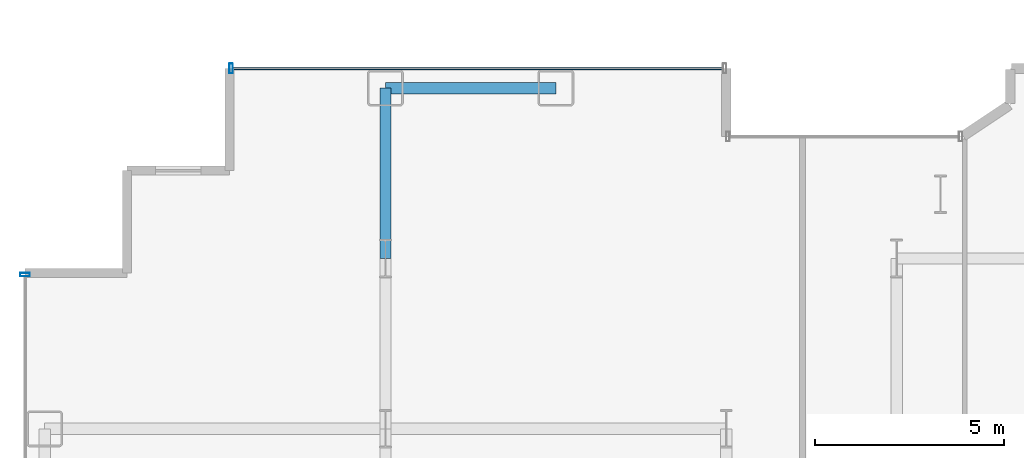
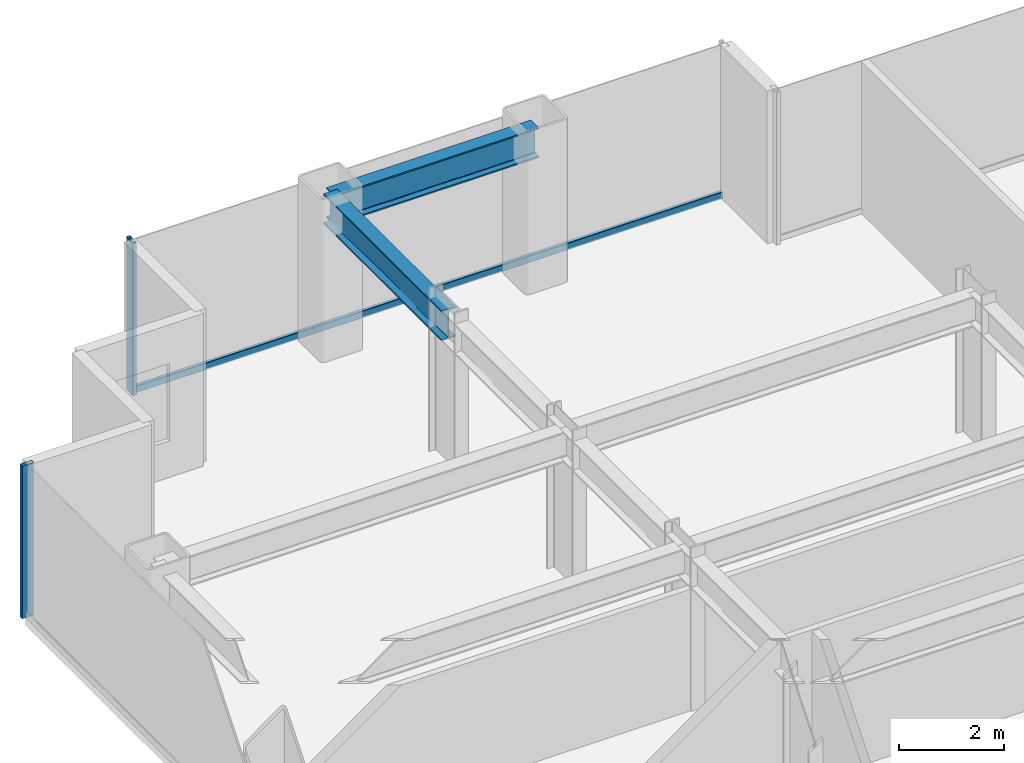
# One storey, part 9 of 25: 3 members, 2 beams, 2 elements without a shape of their own.
"""IFC4 building model written with IfcOpenShell, lengths in metres."""

from ifc_helpers import new_model, si_unit, direction, frame, origin, origin_2d, place, context, subcontext, project, spatial, hollow_rectangle, i_section, extrude, source, transform, mapped, material, layer, layer_set, material_profile, profile_set, type_object, element, aggregate, save


model = new_model("IFC4")

# Units and contexts
model_context = context("Model", 3, precision=1e-05, world=origin(), true_north=direction((0.0, 1.0)))
body_context = subcontext(model_context, "Body", "Model", "MODEL_VIEW")
ifc_project = project(units=[si_unit("LENGTHUNIT", "METRE"), si_unit("AREAUNIT", "SQUARE_METRE"), si_unit("VOLUMEUNIT", "CUBIC_METRE"), si_unit("PLANEANGLEUNIT", "RADIAN"), si_unit("MASSUNIT", "GRAM", prefix="KILO")], contexts=[model_context])

# Site, building, storey
site_placement = place(None, origin())
site = spatial("IfcSite", under=ifc_project, at=site_placement, CompositionType="ELEMENT")
building_placement = place(site_placement, origin())
building = spatial("IfcBuilding", under=site, at=building_placement, Name="Nefas-Gora Pilgrimage Tower", CompositionType="ELEMENT")
storey_placement = place(building_placement, frame((0.0, 0.0, 71.0)))
storey = spatial("IfcBuildingStorey", under=building, at=storey_placement, Name="L16", CompositionType="ELEMENT", Elevation=71.0)

# Beams
ifc_material_1 = material(Name="Steel S355", Category="steel")
ifc_material_profile_1 = material_profile(ifc_material_1, i_section(OverallWidth=0.300048828125, OverallDepth=0.699951171875, WebThickness=0.01708984375, FlangeThickness=0.031982421875, FilletRadius=0.027099609375, at=origin_2d()), Name="HEB 700")
ifc_profile_set_1 = profile_set([ifc_material_profile_1], Name="Steel S355")
beam_type_1 = type_object("IfcBeamType", Name="BM-SPN-HEB600", PredefinedType="SPANDREL", material=ifc_profile_set_1)
shared_shape_1 = source(origin(), body_context, "Body", "SweptSolid", [
    extrude(i_section(OverallWidth=0.300048828125, OverallDepth=0.699951171875, WebThickness=0.01708984375, FlangeThickness=0.031982421875, FilletRadius=0.027099609375, at=origin_2d()), origin(), (0.0, 0.0, 1.0), 4.5),
])
beam_1_placement = place(storey_placement, frame((-24.75, 22.5, 3.199951171875), z_axis=(1.0, 0.0, 0.0), x_axis=(0.0, 1.0, 0.0)))
element("IfcBeam", 1, at=beam_1_placement, inside=storey, type_object=beam_type_1, Name="L16 SP-01 beam", PredefinedType="SPANDREL", context=body_context, shape_type="MappedRepresentation", body=[
    mapped(shared_shape_1, transform((0.0, 0.0, 0.0), x_axis=(1.0, 0.0, 0.0), y_axis=(0.0, 1.0, 0.0), z_axis=(0.0, 0.0, 1.0), scale=1.0)),
])
ifc_material_profile_2 = material_profile(ifc_material_1, i_section(OverallWidth=0.300048828125, OverallDepth=0.699951171875, WebThickness=0.01708984375, FlangeThickness=0.031982421875, FilletRadius=0.027099609375, at=origin_2d()), Name="HEB 700")
ifc_profile_set_2 = profile_set([ifc_material_profile_2], Name="Steel S355")
beam_type_2 = type_object("IfcBeamType", Name="BM-GIR-HEB700", PredefinedType="BEAM", material=ifc_profile_set_2)
shared_shape_2 = source(origin(), body_context, "Body", "SweptSolid", [
    extrude(i_section(OverallWidth=0.300048828125, OverallDepth=0.699951171875, WebThickness=0.01708984375, FlangeThickness=0.031982421875, FilletRadius=0.027099609375, at=origin_2d()), origin(), (0.0, 0.0, 1.0), 4.5),
])
beam_2_placement = place(storey_placement, frame((-24.75, 18.0, 3.199951171875), z_axis=(0.0, 1.0, 0.0), x_axis=(-1.0, 0.0, 0.0)))
element("IfcBeam", 2, at=beam_2_placement, inside=storey, type_object=beam_type_2, Name="L16 G-02 beam", PredefinedType="BEAM", context=body_context, shape_type="MappedRepresentation", body=[
    mapped(shared_shape_2, transform((0.0, 0.0, 0.0), x_axis=(1.0, 0.0, 0.0), y_axis=(0.0, 1.0, 0.0), z_axis=(0.0, 0.0, 1.0), scale=1.0)),
])

# Curtain wall, member
ifc_material_2 = material(Name="Dark ceramic-fritted solar-control aluminium-glass curtain wall", Category="aluminium")
ifc_layer = layer(ifc_material_2, 0.219970703125)
ifc_layer_set = layer_set([ifc_layer], Name="Dark ceramic-fritted solar-control aluminium-glass curtain wall")
curtain_wall_type = type_object("IfcCurtainWallType", Name="CW-SYS-2", PredefinedType="NOTDEFINED", material=ifc_layer_set)
curtain_wall_1_placement = place(storey_placement, origin())
curtain_wall_1 = element("IfcCurtainWall", 3, at=curtain_wall_1_placement, inside=storey, type_object=curtain_wall_type, Name="L16 Unitised Curtain Wall CW2", PredefinedType="NOTDEFINED")
ifc_material_3 = material(Name="Anodised architectural aluminium", Category="aluminium")
ifc_material_profile_3 = material_profile(ifc_material_3, hollow_rectangle(XDim=0.090087890625, YDim=0.260009765625, WallThickness=0.006103515625, InnerFilletRadius=0.006103515625, OuterFilletRadius=0.011962890625, at=origin_2d()), Name="ALU MULLION 90x260")
ifc_profile_set_3 = profile_set([ifc_material_profile_3], Name="Anodised architectural aluminium")
member_type_1 = type_object("IfcMemberType", Name="CWM-MUL-2", PredefinedType="MULLION", material=ifc_profile_set_3)
shared_shape_3 = source(origin(), body_context, "Body", "SweptSolid", [
    extrude(hollow_rectangle(XDim=0.090087890625, YDim=0.260009765625, WallThickness=0.006103515625, InnerFilletRadius=0.006103515625, OuterFilletRadius=0.011962890625, at=origin_2d()), origin(), (0.0, 0.0, 1.0), 3.550048828125),
])
member_1_placement = place(storey_placement, frame((-28.824951171875, 23.02001953125, 0.0), z_axis=(0.0, 0.0, 1.0), x_axis=(-1.0, 0.0, 0.0)))
member_1 = element("IfcMember", 4, at=member_1_placement, type_object=member_type_1, Name="CW2 Mullion 2", PredefinedType="MULLION", context=body_context, shape_type="MappedRepresentation", body=[
    mapped(shared_shape_3, transform((0.0, 0.0, 0.0), x_axis=(1.0, 0.0, 0.0), y_axis=(0.0, 1.0, 0.0), z_axis=(0.0, 0.0, 1.0), scale=1.0)),
])

curtain_wall_2_placement = place(storey_placement, origin())
curtain_wall_2 = element("IfcCurtainWall", 5, at=curtain_wall_2_placement, inside=storey, type_object=curtain_wall_type, Name="L16 Unitised Curtain Wall CW2", PredefinedType="NOTDEFINED")
member_2_placement = place(storey_placement, frame((-34.27001953125, 17.574951171875, 0.0), z_axis=(0.0, 0.0, 1.0), x_axis=(0.0, -1.0, 0.0)))
member_2 = element("IfcMember", 6, at=member_2_placement, type_object=member_type_1, Name="CW2 Mullion 1", PredefinedType="MULLION", context=body_context, shape_type="MappedRepresentation", body=[
    mapped(shared_shape_3, transform((0.0, 0.0, 0.0), x_axis=(1.0, 0.0, 0.0), y_axis=(0.0, 1.0, 0.0), z_axis=(0.0, 0.0, 1.0), scale=1.0)),
])
aggregate(curtain_wall_2, [member_2])

# Member
ifc_material_profile_4 = material_profile(ifc_material_3, hollow_rectangle(XDim=0.080078125, YDim=0.159912109375, WallThickness=0.00439453125, InnerFilletRadius=0.00439453125, OuterFilletRadius=0.009033203125, at=origin_2d()), Name="ALU TRANSOM 80x160")
ifc_profile_set_4 = profile_set([ifc_material_profile_4], Name="Anodised architectural aluminium")
member_type_2 = type_object("IfcMemberType", Name="CWM-TRN-2", PredefinedType="USERDEFINED", material=ifc_profile_set_4)
shared_shape_4 = source(origin(), body_context, "Body", "SweptSolid", [
    extrude(hollow_rectangle(XDim=0.080078125, YDim=0.159912109375, WallThickness=0.00439453125, InnerFilletRadius=0.00439453125, OuterFilletRadius=0.009033203125, at=origin_2d()), origin(), (0.0, 0.0, 1.0), 12.93994140625),
])
member_3_placement = place(storey_placement, frame((-15.840087890625, 23.02001953125, 0.050048828125), z_axis=(-1.0, 0.0, 0.0), x_axis=(0.0, -1.0, 0.0)))
member_3 = element("IfcMember", 7, at=member_3_placement, type_object=member_type_2, Name="CW2 Spandrel Transom", ObjectType="TRANSOM", PredefinedType="USERDEFINED", context=body_context, shape_type="MappedRepresentation", body=[
    mapped(shared_shape_4, transform((0.0, 0.0, 0.0), x_axis=(1.0, 0.0, 0.0), y_axis=(0.0, 1.0, 0.0), z_axis=(0.0, 0.0, 1.0), scale=1.0)),
])

aggregate(curtain_wall_1, [member_1, member_3])

save(model, "model.ifc")
